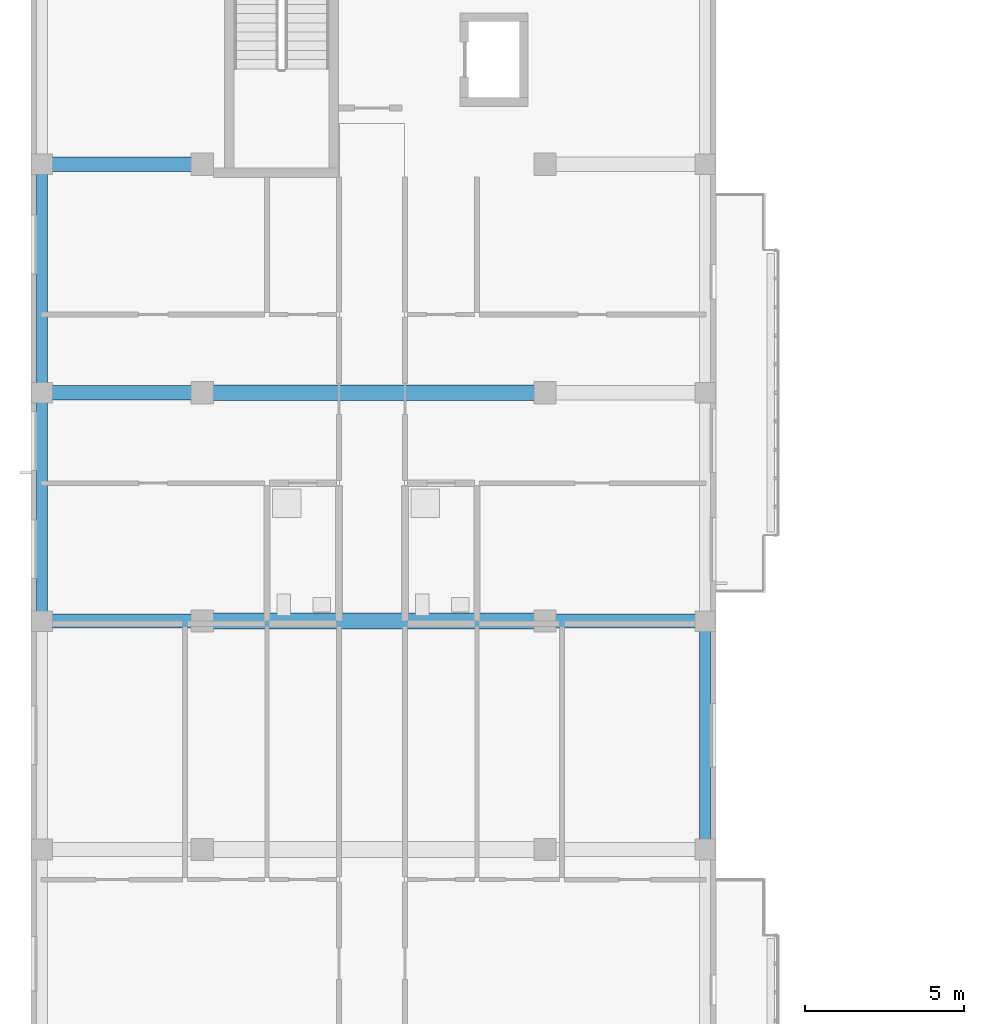
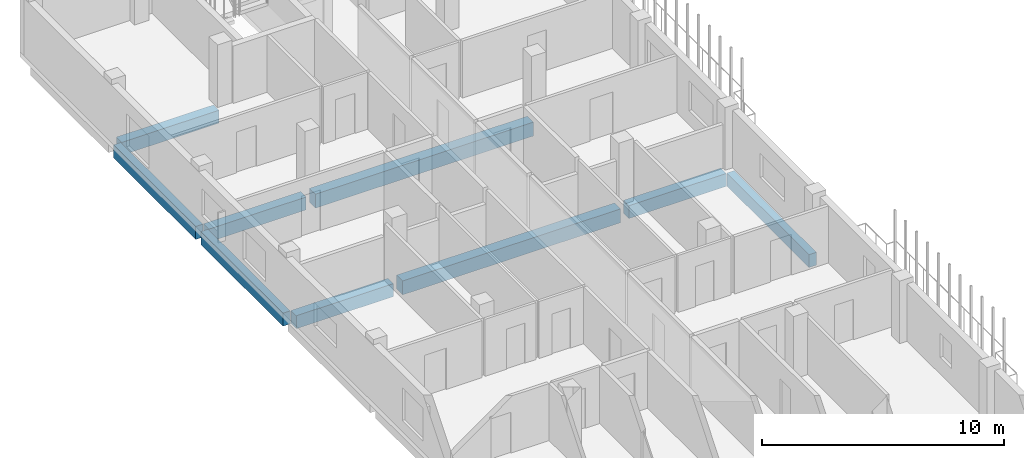
# One storey, part 12 of 51: 9 beams.
"""IFC4 building model written with IfcOpenShell, lengths in metres."""

from ifc_helpers import new_model, si_unit, derived_unit, direction, frame, origin, origin_2d, place, context, subcontext, project, spatial, rectangle, extrude, material, material_profile, profile_set, type_object, element, save


model = new_model("IFC4")

# Units and contexts
model_context = context("Model", 3, precision=1e-05, world=origin(), true_north=direction((0.0, 1.0)))
body_context = subcontext(model_context, "Body", "Model", "MODEL_VIEW")
ifc_project = project(units=[si_unit("LENGTHUNIT", "METRE"), si_unit("AREAUNIT", "SQUARE_METRE"), si_unit("VOLUMEUNIT", "CUBIC_METRE"), si_unit("PLANEANGLEUNIT", "RADIAN"), si_unit("MASSUNIT", "GRAM", prefix="KILO"), derived_unit("THERMALTRANSMITTANCEUNIT", [(si_unit("MASSUNIT", "GRAM", prefix="KILO"), 1), (si_unit("TIMEUNIT", "SECOND"), -3), (si_unit("THERMODYNAMICTEMPERATUREUNIT", "KELVIN"), -1)])], contexts=[model_context])

# Site, building, storey
site_placement = place(None, origin())
site = spatial("IfcSite", under=ifc_project, at=site_placement, CompositionType="ELEMENT")
building_placement = place(site_placement, origin())
building = spatial("IfcBuilding", under=site, at=building_placement, Name="Ochrekiln Boulevard Commons", CompositionType="ELEMENT")
storey_placement = place(building_placement, frame((0.0, 0.0, 15.22509765625)))
storey = spatial("IfcBuildingStorey", under=building, at=storey_placement, Name="L04", CompositionType="ELEMENT", Elevation=15.22509765625)

# Beams
ifc_material_1 = material(Name="Concrete C35/45", Category="concrete")
ifc_material_profile_1 = material_profile(ifc_material_1, rectangle(XDim=0.449951171875, YDim=0.64990234375, at=origin_2d()), Name="RC-BM-450x650")
ifc_profile_set_1 = profile_set([ifc_material_profile_1], Name="Concrete C35/45")
beam_type_1 = type_object("IfcBeamType", Name="BM-RC-450x650", PredefinedType="BEAM", material=ifc_profile_set_1)
beam_1_placement = place(storey_placement, frame((0.56005859375, 97.199951171875, -0.585205078125), z_axis=(1.0, 0.0, 0.0), x_axis=(0.0, 1.0, 0.0)))
element("IfcBeam", 1, at=beam_1_placement, inside=storey, type_object=beam_type_1, Name="Block A L04 Beam B-4565 X12", PredefinedType="BEAM", context=body_context, shape_type="SweptSolid", body=[
    extrude(rectangle(XDim=0.449951171875, YDim=0.64990234375, at=origin_2d()), origin(), (0.0, 0.0, 1.0), 4.6298828125),
])
beam_2_placement = place(storey_placement, frame((16.409912109375, 97.199951171875, -0.585205078125), z_axis=(1.0, 0.0, 0.0), x_axis=(0.0, 1.0, 0.0)))
element("IfcBeam", 2, at=beam_2_placement, inside=storey, type_object=beam_type_1, Name="Block A L04 Beam B-4565 X14", PredefinedType="BEAM", context=body_context, shape_type="SweptSolid", body=[
    extrude(rectangle(XDim=0.449951171875, YDim=0.64990234375, at=origin_2d()), origin(), (0.0, 0.0, 1.0), 4.630126953125),
])
for number, where, z_axis, x_axis, name in (
    (3, (0.56005859375, 104.39990234375, -0.585205078125), (1.0, 0.0, 0.0), (0.0, 1.0, 0.0), "Block A L04 Beam B-4565 X15"),
    (4, (0.56005859375, 111.60009765625, -0.585205078125), (1.0, 0.0, 0.0), (0.0, 1.0, 0.0), "Block A L04 Beam B-4565 X18"),
):
    element("IfcBeam", number, at=place(storey_placement, frame(where, z_axis=z_axis, x_axis=x_axis)), inside=storey, type_object=beam_type_1, Name=name, PredefinedType="BEAM", context=body_context, shape_type="SweptSolid", body=[
        extrude(rectangle(XDim=0.449951171875, YDim=0.64990234375, at=origin_2d()), origin(), (0.0, 0.0, 1.0), 4.6298828125),
    ])
ifc_material_2 = material(Name="Concrete C40/50", Category="concrete")
ifc_material_profile_2 = material_profile(ifc_material_2, rectangle(XDim=0.5, YDim=0.699951171875, at=origin_2d()), Name="RC-BM-500x700")
ifc_profile_set_2 = profile_set([ifc_material_profile_2], Name="Concrete C40/50")
beam_type_2 = type_object("IfcBeamType", Name="BM-RC-500x700", PredefinedType="BEAM", material=ifc_profile_set_2)
for number, where, z_axis, x_axis, name in (
    (5, (5.610107421875, 97.199951171875, -0.610107421875), (1.0, 0.0, 0.0), (0.0, 1.0, 0.0), "Block A L04 Beam B-5070 X13"),
    (6, (5.610107421875, 104.39990234375, -0.610107421875), (1.0, 0.0, 0.0), (0.0, 1.0, 0.0), "Block A L04 Beam B-5070 X16"),
):
    element("IfcBeam", number, at=place(storey_placement, frame(where, z_axis=z_axis, x_axis=x_axis)), inside=storey, type_object=beam_type_2, Name=name, PredefinedType="BEAM", context=body_context, shape_type="SweptSolid", body=[
        extrude(rectangle(XDim=0.5, YDim=0.699951171875, at=origin_2d()), origin(), (0.0, 0.0, 1.0), 10.3798828125),
    ])
ifc_material_profile_3 = material_profile(ifc_material_2, rectangle(XDim=0.35009765625, YDim=0.64990234375, at=origin_2d()), Name="RC-SPN-350x650")
ifc_profile_set_3 = profile_set([ifc_material_profile_3], Name="Concrete C40/50")
beam_type_3 = type_object("IfcBeamType", Name="SPN-RC-350x650", PredefinedType="SPANDREL", material=ifc_profile_set_3)
beam_3_placement = place(storey_placement, frame((0.35009765625, 97.409912109375, -0.585205078125), z_axis=(0.0, 1.0, 0.0), x_axis=(-1.0, 0.0, 0.0)))
element("IfcBeam", 7, at=beam_3_placement, inside=storey, type_object=beam_type_3, Name="Block A L04 Beam SP-3565 Y27", PredefinedType="SPANDREL", context=body_context, shape_type="SweptSolid", body=[
    extrude(rectangle(XDim=0.35009765625, YDim=0.64990234375, at=origin_2d()), origin(), (0.0, 0.0, 1.0), 6.780029296875),
])
beam_4_placement = place(storey_placement, frame((0.35009765625, 104.610107421875, -0.585205078125), z_axis=(0.0, 1.0, 0.0), x_axis=(-1.0, 0.0, 0.0)))
element("IfcBeam", 8, at=beam_4_placement, inside=storey, type_object=beam_type_3, Name="Block A L04 Beam SP-3565 Y28", PredefinedType="SPANDREL", context=body_context, shape_type="SweptSolid", body=[
    extrude(rectangle(XDim=0.35009765625, YDim=0.64990234375, at=origin_2d()), origin(), (0.0, 0.0, 1.0), 6.77978515625),
])
beam_5_placement = place(storey_placement, frame((21.25, 90.2099609375, -0.585205078125), z_axis=(0.0, 1.0, 0.0), x_axis=(-1.0, 0.0, 0.0)))
element("IfcBeam", 9, at=beam_5_placement, inside=storey, type_object=beam_type_3, Name="Block A L04 Beam SP-3565 Y33", PredefinedType="SPANDREL", context=body_context, shape_type="SweptSolid", body=[
    extrude(rectangle(XDim=0.35009765625, YDim=0.64990234375, at=origin_2d()), origin(), (0.0, 0.0, 1.0), 6.780029296875),
])

save(model, "model.ifc")
